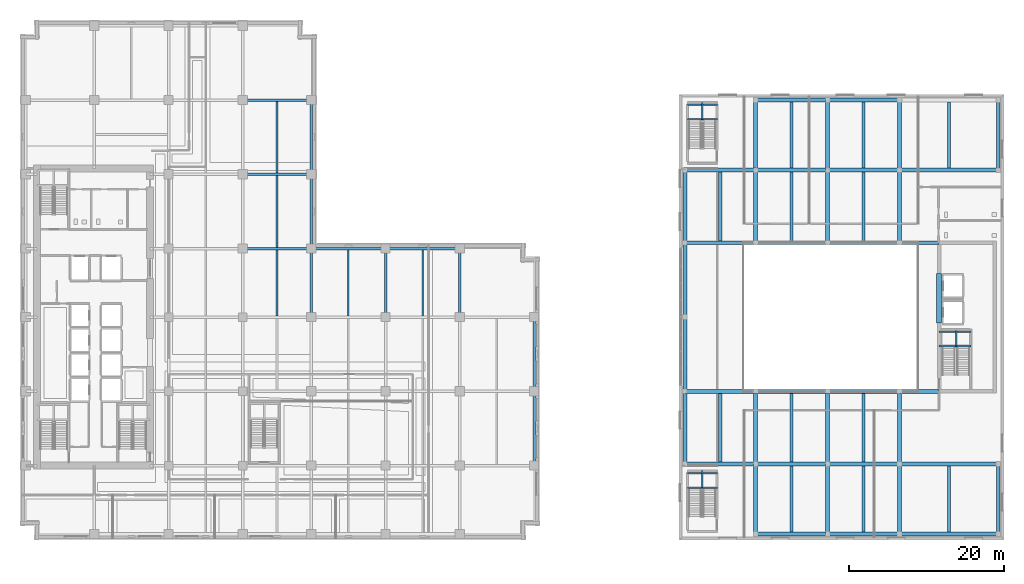
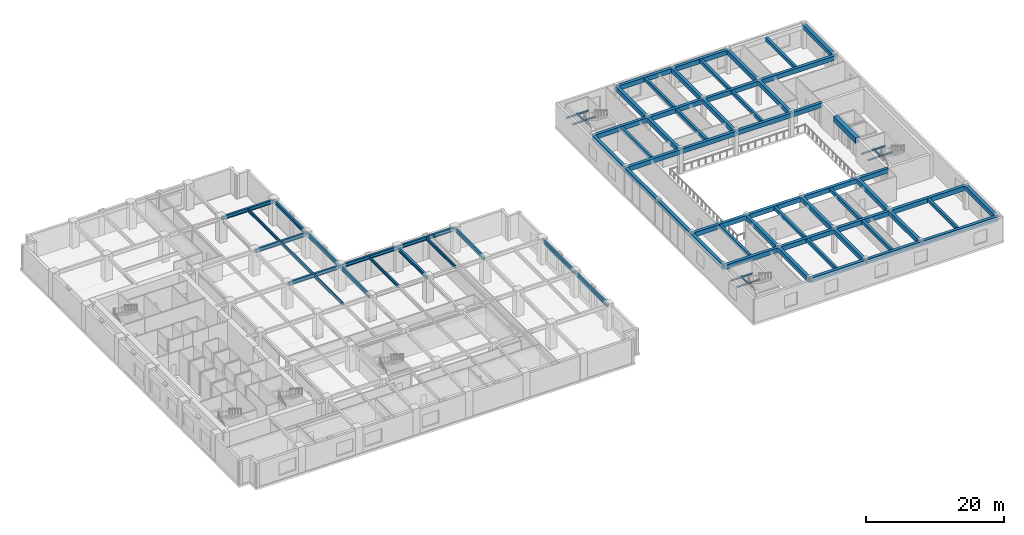
# One storey, part 3 of 24: 78 beams.
"""IFC4 building model written with IfcOpenShell, lengths in metres."""

from ifc_helpers import new_model, si_unit, direction, frame, origin, origin_2d, place, context, subcontext, project, spatial, rectangle, i_section, extrude, material, material_profile, profile_set, type_object, element, save


model = new_model("IFC4")

# Units and contexts
model_context = context("Model", 3, precision=1e-05, world=origin(), true_north=direction((0.0, 1.0)))
body_context = subcontext(model_context, "Body", "Model", "MODEL_VIEW")
ifc_project = project(units=[si_unit("LENGTHUNIT", "METRE"), si_unit("AREAUNIT", "SQUARE_METRE"), si_unit("VOLUMEUNIT", "CUBIC_METRE"), si_unit("PLANEANGLEUNIT", "RADIAN"), si_unit("MASSUNIT", "GRAM", prefix="KILO")], contexts=[model_context])

# Site, building, storey
site_placement = place(None, origin())
site = spatial("IfcSite", under=ifc_project, at=site_placement, CompositionType="ELEMENT")
building_placement = place(site_placement, origin())
building = spatial("IfcBuilding", under=site, at=building_placement, Name="Norrvale University Quadrangle", CompositionType="ELEMENT")
storey_placement = place(building_placement, frame((0.0, 0.0, 10.39990234375)))
storey = spatial("IfcBuildingStorey", under=building, at=storey_placement, Name="L02", CompositionType="ELEMENT", Elevation=10.39990234375)

# Beams
ifc_material_1 = material(Name="Steel 350W", Category="steel")
ifc_material_profile_1 = material_profile(ifc_material_1, i_section(OverallWidth=0.324951171875, OverallDepth=0.615966796875, WebThickness=0.013916015625, FlangeThickness=0.021484375, FilletRadius=0.01611328125, at=origin_2d()), Name="Steel 350W")
ifc_profile_set_1 = profile_set([ifc_material_profile_1], Name="Steel 350W")
beam_type_1 = type_object("IfcBeamType", Name="Beam Belt W610x174", PredefinedType="BEAM", material=ifc_profile_set_1)
beam_1_placement = place(storey_placement, frame((28.800048828125, 37.64990234375, 3.9521484375), z_axis=(1.0, 0.0, 0.0), x_axis=(0.0, 1.0, 0.0)))
element("IfcBeam", 1, at=beam_1_placement, inside=storey, type_object=beam_type_1, Name="Beam Belt W610x174 BM-L02-GX022", PredefinedType="BEAM", context=body_context, shape_type="SweptSolid", body=[
    extrude(i_section(OverallWidth=0.324951171875, OverallDepth=0.615966796875, WebThickness=0.013916015625, FlangeThickness=0.021484375, FilletRadius=0.01611328125, at=origin_2d()), origin(), (0.0, 0.0, 1.0), 8.849853515625),
])
for number, where, z_axis, x_axis, name in (
    (2, (37.64990234375, 37.64990234375, 3.9521484375), (1.0, 0.0, 0.0), (0.0, 1.0, 0.0), "Beam Belt W610x174 BM-L02-GX023"),
    (3, (47.25, 37.64990234375, 3.9521484375), (1.0, 0.0, 0.0), (0.0, 1.0, 0.0), "Beam Belt W610x174 BM-L02-GX024"),
):
    element("IfcBeam", number, at=place(storey_placement, frame(where, z_axis=z_axis, x_axis=x_axis)), inside=storey, type_object=beam_type_1, Name=name, PredefinedType="BEAM", context=body_context, shape_type="SweptSolid", body=[
        extrude(i_section(OverallWidth=0.324951171875, OverallDepth=0.615966796875, WebThickness=0.013916015625, FlangeThickness=0.021484375, FilletRadius=0.01611328125, at=origin_2d()), origin(), (0.0, 0.0, 1.0), 9.60009765625),
    ])
for number, where, z_axis, x_axis, name in (
    (4, (28.800048828125, 47.25, 3.9521484375), (1.0, 0.0, 0.0), (0.0, 1.0, 0.0), "Beam Belt W610x174 BM-L02-GX026"),
    (5, (28.800048828125, 56.85009765625, 3.9521484375), (1.0, 0.0, 0.0), (0.0, 1.0, 0.0), "Beam Belt W610x174 BM-L02-GX030"),
    (6, (37.64990234375, 28.800048828125, 3.9521484375), (0.0, 1.0, 0.0), (-1.0, 0.0, 0.0), "Beam Belt W610x174 BM-L02-GY056"),
):
    element("IfcBeam", number, at=place(storey_placement, frame(where, z_axis=z_axis, x_axis=x_axis)), inside=storey, type_object=beam_type_1, Name=name, PredefinedType="BEAM", context=body_context, shape_type="SweptSolid", body=[
        extrude(i_section(OverallWidth=0.324951171875, OverallDepth=0.615966796875, WebThickness=0.013916015625, FlangeThickness=0.021484375, FilletRadius=0.01611328125, at=origin_2d()), origin(), (0.0, 0.0, 1.0), 8.849853515625),
    ])
for number, where, z_axis, x_axis, name in (
    (7, (37.64990234375, 37.64990234375, 3.9521484375), (0.0, 1.0, 0.0), (-1.0, 0.0, 0.0), "Beam Belt W610x174 BM-L02-GY057"),
    (8, (37.64990234375, 47.25, 3.9521484375), (0.0, 1.0, 0.0), (-1.0, 0.0, 0.0), "Beam Belt W610x174 BM-L02-GY058"),
):
    element("IfcBeam", number, at=place(storey_placement, frame(where, z_axis=z_axis, x_axis=x_axis)), inside=storey, type_object=beam_type_1, Name=name, PredefinedType="BEAM", context=body_context, shape_type="SweptSolid", body=[
        extrude(i_section(OverallWidth=0.324951171875, OverallDepth=0.615966796875, WebThickness=0.013916015625, FlangeThickness=0.021484375, FilletRadius=0.01611328125, at=origin_2d()), origin(), (0.0, 0.0, 1.0), 9.60009765625),
    ])
for number, where, z_axis, x_axis, name in (
    (9, (47.25, 28.800048828125, 3.9521484375), (0.0, 1.0, 0.0), (-1.0, 0.0, 0.0), "Beam Belt W610x174 BM-L02-GY062"),
    (10, (56.85009765625, 28.800048828125, 3.9521484375), (0.0, 1.0, 0.0), (-1.0, 0.0, 0.0), "Beam Belt W610x174 BM-L02-GY066"),
):
    element("IfcBeam", number, at=place(storey_placement, frame(where, z_axis=z_axis, x_axis=x_axis)), inside=storey, type_object=beam_type_1, Name=name, PredefinedType="BEAM", context=body_context, shape_type="SweptSolid", body=[
        extrude(i_section(OverallWidth=0.324951171875, OverallDepth=0.615966796875, WebThickness=0.013916015625, FlangeThickness=0.021484375, FilletRadius=0.01611328125, at=origin_2d()), origin(), (0.0, 0.0, 1.0), 8.849853515625),
    ])
beam_2_placement = place(storey_placement, frame((66.449951171875, 9.60009765625, 3.9521484375), z_axis=(0.0, 1.0, 0.0), x_axis=(-1.0, 0.0, 0.0)))
element("IfcBeam", 11, at=beam_2_placement, inside=storey, type_object=beam_type_1, Name="Beam Belt W610x174 BM-L02-GY067", PredefinedType="BEAM", context=body_context, shape_type="SweptSolid", body=[
    extrude(i_section(OverallWidth=0.324951171875, OverallDepth=0.615966796875, WebThickness=0.013916015625, FlangeThickness=0.021484375, FilletRadius=0.01611328125, at=origin_2d()), origin(), (0.0, 0.0, 1.0), 9.599853515625),
])
beam_3_placement = place(storey_placement, frame((66.449951171875, 19.199951171875, 3.9521484375), z_axis=(0.0, 1.0, 0.0), x_axis=(-1.0, 0.0, 0.0)))
element("IfcBeam", 12, at=beam_3_placement, inside=storey, type_object=beam_type_1, Name="Beam Belt W610x174 BM-L02-GY068", PredefinedType="BEAM", context=body_context, shape_type="SweptSolid", body=[
    extrude(i_section(OverallWidth=0.324951171875, OverallDepth=0.615966796875, WebThickness=0.013916015625, FlangeThickness=0.021484375, FilletRadius=0.01611328125, at=origin_2d()), origin(), (0.0, 0.0, 1.0), 9.60009765625),
])
ifc_material_2 = material(Name="Concrete C80/95", Category="concrete")
ifc_material_profile_2 = material_profile(ifc_material_2, rectangle(XDim=0.699951171875, YDim=0.949951171875, at=origin_2d()), Name="Concrete C80/95")
ifc_profile_set_2 = profile_set([ifc_material_profile_2], Name="Concrete C80/95")
beam_type_2 = type_object("IfcBeamType", Name="Beam Core Link 700x950", PredefinedType="LINTEL", material=ifc_profile_set_2)
beam_4_placement = place(storey_placement, frame((118.800048828125, 28.0, 3.775146484375), z_axis=(0.0, 1.0, 0.0), x_axis=(-1.0, 0.0, 0.0)))
element("IfcBeam", 13, at=beam_4_placement, inside=storey, type_object=beam_type_2, Name="Library Core Coupling Lintel L02", PredefinedType="LINTEL", context=body_context, shape_type="SweptSolid", body=[
    extrude(rectangle(XDim=0.699951171875, YDim=0.949951171875, at=origin_2d()), origin(), (0.0, 0.0, 1.0), 6.39990234375),
])
ifc_material_profile_3 = material_profile(ifc_material_1, i_section(OverallWidth=0.2119140625, OverallDepth=0.5439453125, WebThickness=0.01318359375, FlangeThickness=0.021240234375, FilletRadius=0.013916015625, at=origin_2d()), Name="Steel 350W")
ifc_profile_set_3 = profile_set([ifc_material_profile_3], Name="Steel 350W")
beam_type_3 = type_object("IfcBeamType", Name="Beam Floor W530x123", PredefinedType="BEAM", material=ifc_profile_set_3)
beam_5_placement = place(storey_placement, frame((33.22509765625, 28.96240234375, 3.988037109375), z_axis=(0.0, 1.0, 0.0), x_axis=(-1.0, 0.0, 0.0)))
element("IfcBeam", 14, at=beam_5_placement, inside=storey, type_object=beam_type_3, Name="Beam Floor W530x123 BM-L02-J089", PredefinedType="BEAM", context=body_context, shape_type="SweptSolid", body=[
    extrude(i_section(OverallWidth=0.2119140625, OverallDepth=0.5439453125, WebThickness=0.01318359375, FlangeThickness=0.021240234375, FilletRadius=0.013916015625, at=origin_2d()), origin(), (0.0, 0.0, 1.0), 8.525146484375),
])
for number, where, z_axis, x_axis, name in (
    (15, (33.22509765625, 37.8125, 3.988037109375), (0.0, 1.0, 0.0), (-1.0, 0.0, 0.0), "Beam Floor W530x123 BM-L02-J090"),
    (16, (33.22509765625, 47.41259765625, 3.988037109375), (0.0, 1.0, 0.0), (-1.0, 0.0, 0.0), "Beam Floor W530x123 BM-L02-J091"),
):
    element("IfcBeam", number, at=place(storey_placement, frame(where, z_axis=z_axis, x_axis=x_axis)), inside=storey, type_object=beam_type_3, Name=name, PredefinedType="BEAM", context=body_context, shape_type="SweptSolid", body=[
        extrude(i_section(OverallWidth=0.2119140625, OverallDepth=0.5439453125, WebThickness=0.01318359375, FlangeThickness=0.021240234375, FilletRadius=0.013916015625, at=origin_2d()), origin(), (0.0, 0.0, 1.0), 9.27490234375),
    ])
for number, where, z_axis, x_axis, name in (
    (17, (42.449951171875, 28.96240234375, 3.988037109375), (0.0, 1.0, 0.0), (-1.0, 0.0, 0.0), "Beam Floor W530x123 BM-L02-J095"),
    (18, (52.050048828125, 28.96240234375, 3.988037109375), (0.0, 1.0, 0.0), (-1.0, 0.0, 0.0), "Beam Floor W530x123 BM-L02-J099"),
):
    element("IfcBeam", number, at=place(storey_placement, frame(where, z_axis=z_axis, x_axis=x_axis)), inside=storey, type_object=beam_type_3, Name=name, PredefinedType="BEAM", context=body_context, shape_type="SweptSolid", body=[
        extrude(i_section(OverallWidth=0.2119140625, OverallDepth=0.5439453125, WebThickness=0.01318359375, FlangeThickness=0.021240234375, FilletRadius=0.013916015625, at=origin_2d()), origin(), (0.0, 0.0, 1.0), 8.525146484375),
    ])
ifc_material_3 = material(Name="Concrete C60/75", Category="concrete")
ifc_material_profile_4 = material_profile(ifc_material_3, rectangle(XDim=0.39990234375, YDim=0.60009765625, at=origin_2d()), Name="Concrete C60/75")
ifc_profile_set_4 = profile_set([ifc_material_profile_4], Name="Concrete C60/75")
beam_type_4 = type_object("IfcBeamType", Name="Beam Lib 400x600", PredefinedType="JOIST", material=ifc_profile_set_4)
beam_6_placement = place(storey_placement, frame((90.52490234375, 10.050048828125, 3.9501953125), z_axis=(0.0, 1.0, 0.0), x_axis=(-1.0, 0.0, 0.0)))
element("IfcBeam", 19, at=beam_6_placement, inside=storey, type_object=beam_type_4, Name="Beam Lib 400x600 BM-L02-LJ039", PredefinedType="JOIST", context=body_context, shape_type="SweptSolid", body=[
    extrude(rectangle(XDim=0.39990234375, YDim=0.60009765625, at=origin_2d()), origin(), (0.0, 0.0, 1.0), 8.89990234375),
])
beam_7_placement = place(storey_placement, frame((90.52490234375, 38.64990234375, 3.9501953125), z_axis=(0.0, 1.0, 0.0), x_axis=(-1.0, 0.0, 0.0)))
element("IfcBeam", 20, at=beam_7_placement, inside=storey, type_object=beam_type_4, Name="Beam Lib 400x600 BM-L02-LJ040", PredefinedType="JOIST", context=body_context, shape_type="SweptSolid", body=[
    extrude(rectangle(XDim=0.39990234375, YDim=0.60009765625, at=origin_2d()), origin(), (0.0, 0.0, 1.0), 8.900146484375),
])
beam_8_placement = place(storey_placement, frame((99.75, 1.0, 3.9501953125), z_axis=(0.0, 1.0, 0.0), x_axis=(-1.0, 0.0, 0.0)))
element("IfcBeam", 21, at=beam_8_placement, inside=storey, type_object=beam_type_4, Name="Beam Lib 400x600 BM-L02-LJ041", PredefinedType="JOIST", context=body_context, shape_type="SweptSolid", body=[
    extrude(rectangle(XDim=0.39990234375, YDim=0.60009765625, at=origin_2d()), origin(), (0.0, 0.0, 1.0), 8.550048828125),
])
beam_9_placement = place(storey_placement, frame((99.75, 10.050048828125, 3.9501953125), z_axis=(0.0, 1.0, 0.0), x_axis=(-1.0, 0.0, 0.0)))
element("IfcBeam", 22, at=beam_9_placement, inside=storey, type_object=beam_type_4, Name="Beam Lib 400x600 BM-L02-LJ042", PredefinedType="JOIST", context=body_context, shape_type="SweptSolid", body=[
    extrude(rectangle(XDim=0.39990234375, YDim=0.60009765625, at=origin_2d()), origin(), (0.0, 0.0, 1.0), 8.89990234375),
])
beam_10_placement = place(storey_placement, frame((99.75, 38.64990234375, 3.9501953125), z_axis=(0.0, 1.0, 0.0), x_axis=(-1.0, 0.0, 0.0)))
element("IfcBeam", 23, at=beam_10_placement, inside=storey, type_object=beam_type_4, Name="Beam Lib 400x600 BM-L02-LJ043", PredefinedType="JOIST", context=body_context, shape_type="SweptSolid", body=[
    extrude(rectangle(XDim=0.39990234375, YDim=0.60009765625, at=origin_2d()), origin(), (0.0, 0.0, 1.0), 8.900146484375),
])
for number, where, z_axis, x_axis, name in (
    (24, (99.75, 48.050048828125, 3.9501953125), (0.0, 1.0, 0.0), (-1.0, 0.0, 0.0), "Beam Lib 400x600 BM-L02-LJ044"),
    (25, (109.050048828125, 1.0, 3.9501953125), (0.0, 1.0, 0.0), (-1.0, 0.0, 0.0), "Beam Lib 400x600 BM-L02-LJ045"),
):
    element("IfcBeam", number, at=place(storey_placement, frame(where, z_axis=z_axis, x_axis=x_axis)), inside=storey, type_object=beam_type_4, Name=name, PredefinedType="JOIST", context=body_context, shape_type="SweptSolid", body=[
        extrude(rectangle(XDim=0.39990234375, YDim=0.60009765625, at=origin_2d()), origin(), (0.0, 0.0, 1.0), 8.550048828125),
    ])
beam_11_placement = place(storey_placement, frame((109.050048828125, 10.050048828125, 3.9501953125), z_axis=(0.0, 1.0, 0.0), x_axis=(-1.0, 0.0, 0.0)))
element("IfcBeam", 26, at=beam_11_placement, inside=storey, type_object=beam_type_4, Name="Beam Lib 400x600 BM-L02-LJ046", PredefinedType="JOIST", context=body_context, shape_type="SweptSolid", body=[
    extrude(rectangle(XDim=0.39990234375, YDim=0.60009765625, at=origin_2d()), origin(), (0.0, 0.0, 1.0), 8.89990234375),
])
beam_12_placement = place(storey_placement, frame((109.050048828125, 38.64990234375, 3.9501953125), z_axis=(0.0, 1.0, 0.0), x_axis=(-1.0, 0.0, 0.0)))
element("IfcBeam", 27, at=beam_12_placement, inside=storey, type_object=beam_type_4, Name="Beam Lib 400x600 BM-L02-LJ047", PredefinedType="JOIST", context=body_context, shape_type="SweptSolid", body=[
    extrude(rectangle(XDim=0.39990234375, YDim=0.60009765625, at=origin_2d()), origin(), (0.0, 0.0, 1.0), 8.900146484375),
])
for number, where, z_axis, x_axis, name in (
    (28, (109.050048828125, 48.050048828125, 3.9501953125), (0.0, 1.0, 0.0), (-1.0, 0.0, 0.0), "Beam Lib 400x600 BM-L02-LJ048"),
    (29, (120.074951171875, 1.0, 3.9501953125), (0.0, 1.0, 0.0), (-1.0, 0.0, 0.0), "Beam Lib 400x600 BM-L02-LJ049"),
    (30, (120.074951171875, 48.050048828125, 3.9501953125), (0.0, 1.0, 0.0), (-1.0, 0.0, 0.0), "Beam Lib 400x600 BM-L02-LJ050"),
):
    element("IfcBeam", number, at=place(storey_placement, frame(where, z_axis=z_axis, x_axis=x_axis)), inside=storey, type_object=beam_type_4, Name=name, PredefinedType="JOIST", context=body_context, shape_type="SweptSolid", body=[
        extrude(rectangle(XDim=0.39990234375, YDim=0.60009765625, at=origin_2d()), origin(), (0.0, 0.0, 1.0), 8.550048828125),
    ])
ifc_material_profile_5 = material_profile(ifc_material_3, rectangle(XDim=0.5, YDim=0.800048828125, at=origin_2d()), Name="Concrete C60/75")
ifc_profile_set_5 = profile_set([ifc_material_profile_5], Name="Concrete C60/75")
beam_type_5 = type_object("IfcBeamType", Name="Beam Lib 500x800", PredefinedType="BEAM", material=ifc_profile_set_5)
beam_13_placement = place(storey_placement, frame((95.10009765625, 0.75, 3.85009765625), z_axis=(1.0, 0.0, 0.0), x_axis=(0.0, 1.0, 0.0)))
element("IfcBeam", 31, at=beam_13_placement, inside=storey, type_object=beam_type_5, Name="Beam Lib 500x800 BM-L02-LGX001", PredefinedType="BEAM", context=body_context, shape_type="SweptSolid", body=[
    extrude(rectangle(XDim=0.5, YDim=0.800048828125, at=origin_2d()), origin(), (0.0, 0.0, 1.0), 9.2998046875),
])
beam_14_placement = place(storey_placement, frame((104.39990234375, 0.75, 3.85009765625), z_axis=(1.0, 0.0, 0.0), x_axis=(0.0, 1.0, 0.0)))
element("IfcBeam", 32, at=beam_14_placement, inside=storey, type_object=beam_type_5, Name="Beam Lib 500x800 BM-L02-LGX002", PredefinedType="BEAM", context=body_context, shape_type="SweptSolid", body=[
    extrude(rectangle(XDim=0.5, YDim=0.800048828125, at=origin_2d()), origin(), (0.0, 0.0, 1.0), 9.300048828125),
])
beam_15_placement = place(storey_placement, frame((113.699951171875, 0.75, 3.85009765625), z_axis=(1.0, 0.0, 0.0), x_axis=(0.0, 1.0, 0.0)))
element("IfcBeam", 33, at=beam_15_placement, inside=storey, type_object=beam_type_5, Name="Beam Lib 500x800 BM-L02-LGX003", PredefinedType="BEAM", context=body_context, shape_type="SweptSolid", body=[
    extrude(rectangle(XDim=0.5, YDim=0.800048828125, at=origin_2d()), origin(), (0.0, 0.0, 1.0), 12.75),
])
beam_16_placement = place(storey_placement, frame((85.949951171875, 9.800048828125, 3.85009765625), z_axis=(1.0, 0.0, 0.0), x_axis=(0.0, 1.0, 0.0)))
element("IfcBeam", 34, at=beam_16_placement, inside=storey, type_object=beam_type_5, Name="Beam Lib 500x800 BM-L02-LGX004", PredefinedType="BEAM", context=body_context, shape_type="SweptSolid", body=[
    extrude(rectangle(XDim=0.5, YDim=0.800048828125, at=origin_2d()), origin(), (0.0, 0.0, 1.0), 9.150146484375),
])
beam_17_placement = place(storey_placement, frame((95.10009765625, 9.800048828125, 3.85009765625), z_axis=(1.0, 0.0, 0.0), x_axis=(0.0, 1.0, 0.0)))
element("IfcBeam", 35, at=beam_17_placement, inside=storey, type_object=beam_type_5, Name="Beam Lib 500x800 BM-L02-LGX005", PredefinedType="BEAM", context=body_context, shape_type="SweptSolid", body=[
    extrude(rectangle(XDim=0.5, YDim=0.800048828125, at=origin_2d()), origin(), (0.0, 0.0, 1.0), 9.2998046875),
])
beam_18_placement = place(storey_placement, frame((104.39990234375, 9.800048828125, 3.85009765625), z_axis=(1.0, 0.0, 0.0), x_axis=(0.0, 1.0, 0.0)))
element("IfcBeam", 36, at=beam_18_placement, inside=storey, type_object=beam_type_5, Name="Beam Lib 500x800 BM-L02-LGX006", PredefinedType="BEAM", context=body_context, shape_type="SweptSolid", body=[
    extrude(rectangle(XDim=0.5, YDim=0.800048828125, at=origin_2d()), origin(), (0.0, 0.0, 1.0), 9.300048828125),
])
beam_19_placement = place(storey_placement, frame((113.699951171875, 9.800048828125, 3.85009765625), z_axis=(1.0, 0.0, 0.0), x_axis=(0.0, 1.0, 0.0)))
element("IfcBeam", 37, at=beam_19_placement, inside=storey, type_object=beam_type_5, Name="Beam Lib 500x800 BM-L02-LGX007", PredefinedType="BEAM", context=body_context, shape_type="SweptSolid", body=[
    extrude(rectangle(XDim=0.5, YDim=0.800048828125, at=origin_2d()), origin(), (0.0, 0.0, 1.0), 12.75),
])
beam_20_placement = place(storey_placement, frame((85.949951171875, 19.199951171875, 3.85009765625), z_axis=(1.0, 0.0, 0.0), x_axis=(0.0, 1.0, 0.0)))
element("IfcBeam", 38, at=beam_20_placement, inside=storey, type_object=beam_type_5, Name="Beam Lib 500x800 BM-L02-LGX008", PredefinedType="BEAM", context=body_context, shape_type="SweptSolid", body=[
    extrude(rectangle(XDim=0.5, YDim=0.800048828125, at=origin_2d()), origin(), (0.0, 0.0, 1.0), 9.150146484375),
])
beam_21_placement = place(storey_placement, frame((95.10009765625, 19.199951171875, 3.85009765625), z_axis=(1.0, 0.0, 0.0), x_axis=(0.0, 1.0, 0.0)))
element("IfcBeam", 39, at=beam_21_placement, inside=storey, type_object=beam_type_5, Name="Beam Lib 500x800 BM-L02-LGX009", PredefinedType="BEAM", context=body_context, shape_type="SweptSolid", body=[
    extrude(rectangle(XDim=0.5, YDim=0.800048828125, at=origin_2d()), origin(), (0.0, 0.0, 1.0), 9.2998046875),
])
beam_22_placement = place(storey_placement, frame((104.39990234375, 19.199951171875, 3.85009765625), z_axis=(1.0, 0.0, 0.0), x_axis=(0.0, 1.0, 0.0)))
element("IfcBeam", 40, at=beam_22_placement, inside=storey, type_object=beam_type_5, Name="Beam Lib 500x800 BM-L02-LGX010", PredefinedType="BEAM", context=body_context, shape_type="SweptSolid", body=[
    extrude(rectangle(XDim=0.5, YDim=0.800048828125, at=origin_2d()), origin(), (0.0, 0.0, 1.0), 9.300048828125),
])
beam_23_placement = place(storey_placement, frame((85.949951171875, 38.39990234375, 3.85009765625), z_axis=(1.0, 0.0, 0.0), x_axis=(0.0, 1.0, 0.0)))
element("IfcBeam", 41, at=beam_23_placement, inside=storey, type_object=beam_type_5, Name="Beam Lib 500x800 BM-L02-LGX011", PredefinedType="BEAM", context=body_context, shape_type="SweptSolid", body=[
    extrude(rectangle(XDim=0.5, YDim=0.800048828125, at=origin_2d()), origin(), (0.0, 0.0, 1.0), 9.150146484375),
])
beam_24_placement = place(storey_placement, frame((95.10009765625, 38.39990234375, 3.85009765625), z_axis=(1.0, 0.0, 0.0), x_axis=(0.0, 1.0, 0.0)))
element("IfcBeam", 42, at=beam_24_placement, inside=storey, type_object=beam_type_5, Name="Beam Lib 500x800 BM-L02-LGX012", PredefinedType="BEAM", context=body_context, shape_type="SweptSolid", body=[
    extrude(rectangle(XDim=0.5, YDim=0.800048828125, at=origin_2d()), origin(), (0.0, 0.0, 1.0), 9.2998046875),
])
beam_25_placement = place(storey_placement, frame((104.39990234375, 38.39990234375, 3.85009765625), z_axis=(1.0, 0.0, 0.0), x_axis=(0.0, 1.0, 0.0)))
element("IfcBeam", 43, at=beam_25_placement, inside=storey, type_object=beam_type_5, Name="Beam Lib 500x800 BM-L02-LGX013", PredefinedType="BEAM", context=body_context, shape_type="SweptSolid", body=[
    extrude(rectangle(XDim=0.5, YDim=0.800048828125, at=origin_2d()), origin(), (0.0, 0.0, 1.0), 9.300048828125),
])
beam_26_placement = place(storey_placement, frame((85.949951171875, 47.800048828125, 3.85009765625), z_axis=(1.0, 0.0, 0.0), x_axis=(0.0, 1.0, 0.0)))
element("IfcBeam", 44, at=beam_26_placement, inside=storey, type_object=beam_type_5, Name="Beam Lib 500x800 BM-L02-LGX014", PredefinedType="BEAM", context=body_context, shape_type="SweptSolid", body=[
    extrude(rectangle(XDim=0.5, YDim=0.800048828125, at=origin_2d()), origin(), (0.0, 0.0, 1.0), 9.150146484375),
])
beam_27_placement = place(storey_placement, frame((95.10009765625, 47.800048828125, 3.85009765625), z_axis=(1.0, 0.0, 0.0), x_axis=(0.0, 1.0, 0.0)))
element("IfcBeam", 45, at=beam_27_placement, inside=storey, type_object=beam_type_5, Name="Beam Lib 500x800 BM-L02-LGX015", PredefinedType="BEAM", context=body_context, shape_type="SweptSolid", body=[
    extrude(rectangle(XDim=0.5, YDim=0.800048828125, at=origin_2d()), origin(), (0.0, 0.0, 1.0), 9.2998046875),
])
beam_28_placement = place(storey_placement, frame((104.39990234375, 47.800048828125, 3.85009765625), z_axis=(1.0, 0.0, 0.0), x_axis=(0.0, 1.0, 0.0)))
element("IfcBeam", 46, at=beam_28_placement, inside=storey, type_object=beam_type_5, Name="Beam Lib 500x800 BM-L02-LGX016", PredefinedType="BEAM", context=body_context, shape_type="SweptSolid", body=[
    extrude(rectangle(XDim=0.5, YDim=0.800048828125, at=origin_2d()), origin(), (0.0, 0.0, 1.0), 9.300048828125),
])
beam_29_placement = place(storey_placement, frame((113.699951171875, 47.800048828125, 3.85009765625), z_axis=(1.0, 0.0, 0.0), x_axis=(0.0, 1.0, 0.0)))
element("IfcBeam", 47, at=beam_29_placement, inside=storey, type_object=beam_type_5, Name="Beam Lib 500x800 BM-L02-LGX017", PredefinedType="BEAM", context=body_context, shape_type="SweptSolid", body=[
    extrude(rectangle(XDim=0.5, YDim=0.800048828125, at=origin_2d()), origin(), (0.0, 0.0, 1.0), 12.75),
])
beam_30_placement = place(storey_placement, frame((95.10009765625, 56.85009765625, 3.85009765625), z_axis=(1.0, 0.0, 0.0), x_axis=(0.0, 1.0, 0.0)))
element("IfcBeam", 48, at=beam_30_placement, inside=storey, type_object=beam_type_5, Name="Beam Lib 500x800 BM-L02-LGX018", PredefinedType="BEAM", context=body_context, shape_type="SweptSolid", body=[
    extrude(rectangle(XDim=0.5, YDim=0.800048828125, at=origin_2d()), origin(), (0.0, 0.0, 1.0), 9.2998046875),
])
beam_31_placement = place(storey_placement, frame((104.39990234375, 56.85009765625, 3.85009765625), z_axis=(1.0, 0.0, 0.0), x_axis=(0.0, 1.0, 0.0)))
element("IfcBeam", 49, at=beam_31_placement, inside=storey, type_object=beam_type_5, Name="Beam Lib 500x800 BM-L02-LGX019", PredefinedType="BEAM", context=body_context, shape_type="SweptSolid", body=[
    extrude(rectangle(XDim=0.5, YDim=0.800048828125, at=origin_2d()), origin(), (0.0, 0.0, 1.0), 9.300048828125),
])
beam_32_placement = place(storey_placement, frame((85.949951171875, 9.800048828125, 3.85009765625), z_axis=(0.0, 1.0, 0.0), x_axis=(-1.0, 0.0, 0.0)))
element("IfcBeam", 50, at=beam_32_placement, inside=storey, type_object=beam_type_5, Name="Beam Lib 500x800 BM-L02-LGY021", PredefinedType="BEAM", context=body_context, shape_type="SweptSolid", body=[
    extrude(rectangle(XDim=0.5, YDim=0.800048828125, at=origin_2d()), origin(), (0.0, 0.0, 1.0), 9.39990234375),
])
beam_33_placement = place(storey_placement, frame((85.949951171875, 19.199951171875, 3.85009765625), z_axis=(0.0, 1.0, 0.0), x_axis=(-1.0, 0.0, 0.0)))
element("IfcBeam", 51, at=beam_33_placement, inside=storey, type_object=beam_type_5, Name="Beam Lib 500x800 BM-L02-LGY022", PredefinedType="BEAM", context=body_context, shape_type="SweptSolid", body=[
    extrude(rectangle(XDim=0.5, YDim=0.800048828125, at=origin_2d()), origin(), (0.0, 0.0, 1.0), 9.60009765625),
])
beam_34_placement = place(storey_placement, frame((85.949951171875, 28.800048828125, 3.85009765625), z_axis=(0.0, 1.0, 0.0), x_axis=(-1.0, 0.0, 0.0)))
element("IfcBeam", 52, at=beam_34_placement, inside=storey, type_object=beam_type_5, Name="Beam Lib 500x800 BM-L02-LGY023", PredefinedType="BEAM", context=body_context, shape_type="SweptSolid", body=[
    extrude(rectangle(XDim=0.5, YDim=0.800048828125, at=origin_2d()), origin(), (0.0, 0.0, 1.0), 9.599853515625),
])
beam_35_placement = place(storey_placement, frame((85.949951171875, 38.39990234375, 3.85009765625), z_axis=(0.0, 1.0, 0.0), x_axis=(-1.0, 0.0, 0.0)))
element("IfcBeam", 53, at=beam_35_placement, inside=storey, type_object=beam_type_5, Name="Beam Lib 500x800 BM-L02-LGY024", PredefinedType="BEAM", context=body_context, shape_type="SweptSolid", body=[
    extrude(rectangle(XDim=0.5, YDim=0.800048828125, at=origin_2d()), origin(), (0.0, 0.0, 1.0), 9.400146484375),
])
beam_36_placement = place(storey_placement, frame((95.10009765625, 0.75, 3.85009765625), z_axis=(0.0, 1.0, 0.0), x_axis=(-1.0, 0.0, 0.0)))
element("IfcBeam", 54, at=beam_36_placement, inside=storey, type_object=beam_type_5, Name="Beam Lib 500x800 BM-L02-LGY025", PredefinedType="BEAM", context=body_context, shape_type="SweptSolid", body=[
    extrude(rectangle(XDim=0.5, YDim=0.800048828125, at=origin_2d()), origin(), (0.0, 0.0, 1.0), 9.050048828125),
])
beam_37_placement = place(storey_placement, frame((95.10009765625, 9.800048828125, 3.85009765625), z_axis=(0.0, 1.0, 0.0), x_axis=(-1.0, 0.0, 0.0)))
element("IfcBeam", 55, at=beam_37_placement, inside=storey, type_object=beam_type_5, Name="Beam Lib 500x800 BM-L02-LGY026", PredefinedType="BEAM", context=body_context, shape_type="SweptSolid", body=[
    extrude(rectangle(XDim=0.5, YDim=0.800048828125, at=origin_2d()), origin(), (0.0, 0.0, 1.0), 9.39990234375),
])
beam_38_placement = place(storey_placement, frame((95.10009765625, 38.39990234375, 3.85009765625), z_axis=(0.0, 1.0, 0.0), x_axis=(-1.0, 0.0, 0.0)))
element("IfcBeam", 56, at=beam_38_placement, inside=storey, type_object=beam_type_5, Name="Beam Lib 500x800 BM-L02-LGY027", PredefinedType="BEAM", context=body_context, shape_type="SweptSolid", body=[
    extrude(rectangle(XDim=0.5, YDim=0.800048828125, at=origin_2d()), origin(), (0.0, 0.0, 1.0), 9.400146484375),
])
for number, where, z_axis, x_axis, name in (
    (57, (95.10009765625, 47.800048828125, 3.85009765625), (0.0, 1.0, 0.0), (-1.0, 0.0, 0.0), "Beam Lib 500x800 BM-L02-LGY028"),
    (58, (104.39990234375, 0.75, 3.85009765625), (0.0, 1.0, 0.0), (-1.0, 0.0, 0.0), "Beam Lib 500x800 BM-L02-LGY029"),
):
    element("IfcBeam", number, at=place(storey_placement, frame(where, z_axis=z_axis, x_axis=x_axis)), inside=storey, type_object=beam_type_5, Name=name, PredefinedType="BEAM", context=body_context, shape_type="SweptSolid", body=[
        extrude(rectangle(XDim=0.5, YDim=0.800048828125, at=origin_2d()), origin(), (0.0, 0.0, 1.0), 9.050048828125),
    ])
beam_39_placement = place(storey_placement, frame((104.39990234375, 9.800048828125, 3.85009765625), z_axis=(0.0, 1.0, 0.0), x_axis=(-1.0, 0.0, 0.0)))
element("IfcBeam", 59, at=beam_39_placement, inside=storey, type_object=beam_type_5, Name="Beam Lib 500x800 BM-L02-LGY030", PredefinedType="BEAM", context=body_context, shape_type="SweptSolid", body=[
    extrude(rectangle(XDim=0.5, YDim=0.800048828125, at=origin_2d()), origin(), (0.0, 0.0, 1.0), 9.39990234375),
])
beam_40_placement = place(storey_placement, frame((104.39990234375, 38.39990234375, 3.85009765625), z_axis=(0.0, 1.0, 0.0), x_axis=(-1.0, 0.0, 0.0)))
element("IfcBeam", 60, at=beam_40_placement, inside=storey, type_object=beam_type_5, Name="Beam Lib 500x800 BM-L02-LGY031", PredefinedType="BEAM", context=body_context, shape_type="SweptSolid", body=[
    extrude(rectangle(XDim=0.5, YDim=0.800048828125, at=origin_2d()), origin(), (0.0, 0.0, 1.0), 9.400146484375),
])
for number, where, z_axis, x_axis, name in (
    (61, (104.39990234375, 47.800048828125, 3.85009765625), (0.0, 1.0, 0.0), (-1.0, 0.0, 0.0), "Beam Lib 500x800 BM-L02-LGY032"),
    (62, (113.699951171875, 0.75, 3.85009765625), (0.0, 1.0, 0.0), (-1.0, 0.0, 0.0), "Beam Lib 500x800 BM-L02-LGY033"),
):
    element("IfcBeam", number, at=place(storey_placement, frame(where, z_axis=z_axis, x_axis=x_axis)), inside=storey, type_object=beam_type_5, Name=name, PredefinedType="BEAM", context=body_context, shape_type="SweptSolid", body=[
        extrude(rectangle(XDim=0.5, YDim=0.800048828125, at=origin_2d()), origin(), (0.0, 0.0, 1.0), 9.050048828125),
    ])
beam_41_placement = place(storey_placement, frame((113.699951171875, 9.800048828125, 3.85009765625), z_axis=(0.0, 1.0, 0.0), x_axis=(-1.0, 0.0, 0.0)))
element("IfcBeam", 63, at=beam_41_placement, inside=storey, type_object=beam_type_5, Name="Beam Lib 500x800 BM-L02-LGY034", PredefinedType="BEAM", context=body_context, shape_type="SweptSolid", body=[
    extrude(rectangle(XDim=0.5, YDim=0.800048828125, at=origin_2d()), origin(), (0.0, 0.0, 1.0), 9.39990234375),
])
beam_42_placement = place(storey_placement, frame((113.699951171875, 38.39990234375, 3.85009765625), z_axis=(0.0, 1.0, 0.0), x_axis=(-1.0, 0.0, 0.0)))
element("IfcBeam", 64, at=beam_42_placement, inside=storey, type_object=beam_type_5, Name="Beam Lib 500x800 BM-L02-LGY035", PredefinedType="BEAM", context=body_context, shape_type="SweptSolid", body=[
    extrude(rectangle(XDim=0.5, YDim=0.800048828125, at=origin_2d()), origin(), (0.0, 0.0, 1.0), 9.400146484375),
])
for number, where, z_axis, x_axis, name in (
    (65, (113.699951171875, 47.800048828125, 3.85009765625), (0.0, 1.0, 0.0), (-1.0, 0.0, 0.0), "Beam Lib 500x800 BM-L02-LGY036"),
    (66, (126.449951171875, 0.75, 3.85009765625), (0.0, 1.0, 0.0), (-1.0, 0.0, 0.0), "Beam Lib 500x800 BM-L02-LGY037"),
    (67, (126.449951171875, 47.800048828125, 3.85009765625), (0.0, 1.0, 0.0), (-1.0, 0.0, 0.0), "Beam Lib 500x800 BM-L02-LGY038"),
):
    element("IfcBeam", number, at=place(storey_placement, frame(where, z_axis=z_axis, x_axis=x_axis)), inside=storey, type_object=beam_type_5, Name=name, PredefinedType="BEAM", context=body_context, shape_type="SweptSolid", body=[
        extrude(rectangle(XDim=0.5, YDim=0.800048828125, at=origin_2d()), origin(), (0.0, 0.0, 1.0), 9.050048828125),
    ])
for number, where, z_axis, x_axis, name in (
    (68, (113.699951171875, 19.199951171875, 3.85009765625), (1.0, 0.0, 0.0), (0.0, 1.0, 0.0), "Beam Lib 500x800 BM-L02-LCTIE051"),
    (69, (113.699951171875, 38.39990234375, 3.85009765625), (1.0, 0.0, 0.0), (0.0, 1.0, 0.0), "Beam Lib 500x800 BM-L02-LCTIE052"),
):
    element("IfcBeam", number, at=place(storey_placement, frame(where, z_axis=z_axis, x_axis=x_axis)), inside=storey, type_object=beam_type_5, Name=name, PredefinedType="BEAM", context=body_context, shape_type="SweptSolid", body=[
        extrude(rectangle(XDim=0.5, YDim=0.800048828125, at=origin_2d()), origin(), (0.0, 0.0, 1.0), 5.10009765625),
    ])
ifc_material_profile_6 = material_profile(ifc_material_1, i_section(OverallWidth=0.201904296875, OverallDepth=0.2470703125, WebThickness=0.00732421875, FlangeThickness=0.010986328125, FilletRadius=0.011962890625, at=origin_2d()), Name="Steel 350W")
ifc_profile_set_6 = profile_set([ifc_material_profile_6], Name="Steel 350W")
beam_type_6 = type_object("IfcBeamType", Name="Beam Stair W250x49", PredefinedType="BEAM", material=ifc_profile_set_6)
for number, where, z_axis, x_axis, name in (
    (70, (118.800048828125, 25.06005859375, 1.9765625), (1.0, 0.0, 0.0), (0.0, 1.0, 0.0), "Stair Mid-Landing Front Beam ST-L1 L02"),
    (71, (118.800048828125, 26.919921875, 1.9765625), (1.0, 0.0, 0.0), (0.0, 1.0, 0.0), "Stair Mid-Landing Rear Beam ST-L1 L02"),
):
    element("IfcBeam", number, at=place(storey_placement, frame(where, z_axis=z_axis, x_axis=x_axis)), inside=storey, type_object=beam_type_6, Name=name, PredefinedType="BEAM", context=body_context, shape_type="SweptSolid", body=[
        extrude(i_section(OverallWidth=0.201904296875, OverallDepth=0.2470703125, WebThickness=0.00732421875, FlangeThickness=0.010986328125, FilletRadius=0.011962890625, at=origin_2d()), origin(), (0.0, 0.0, 1.0), 4.139892578125),
    ])
for number, where, z_axis, x_axis, name in (
    (72, (86.260009765625, 6.760009765625, 1.9765625), (1.0, 0.0, 0.0), (0.0, 1.0, 0.0), "Stair Mid-Landing Front Beam ST-L2 L02"),
    (73, (86.260009765625, 8.6201171875, 1.9765625), (1.0, 0.0, 0.0), (0.0, 1.0, 0.0), "Stair Mid-Landing Rear Beam ST-L2 L02"),
    (74, (86.260009765625, 54.360107421875, 1.9765625), (1.0, 0.0, 0.0), (0.0, 1.0, 0.0), "Stair Mid-Landing Front Beam ST-L3 L02"),
    (75, (86.260009765625, 56.219970703125, 1.9765625), (1.0, 0.0, 0.0), (0.0, 1.0, 0.0), "Stair Mid-Landing Rear Beam ST-L3 L02"),
):
    element("IfcBeam", number, at=place(storey_placement, frame(where, z_axis=z_axis, x_axis=x_axis)), inside=storey, type_object=beam_type_6, Name=name, PredefinedType="BEAM", context=body_context, shape_type="SweptSolid", body=[
        extrude(i_section(OverallWidth=0.201904296875, OverallDepth=0.2470703125, WebThickness=0.00732421875, FlangeThickness=0.010986328125, FilletRadius=0.011962890625, at=origin_2d()), origin(), (0.0, 0.0, 1.0), 3.8798828125),
    ])
ifc_material_profile_7 = material_profile(ifc_material_1, i_section(OverallWidth=0.202880859375, OverallDepth=0.202880859375, WebThickness=0.007080078125, FlangeThickness=0.010986328125, FilletRadius=0.010009765625, at=origin_2d()), Name="Steel 350W")
ifc_profile_set_7 = profile_set([ifc_material_profile_7], Name="Steel 350W")
beam_type_7 = type_object("IfcBeamType", Name="Beam Trim W200x46", PredefinedType="BEAM", material=ifc_profile_set_7)
for number, where, z_axis, x_axis, name in (
    (76, (121.0, 25.06005859375, 1.99853515625), (0.0, 1.0, 0.0), (-1.0, 0.0, 0.0), "Stair Mid-Landing Cross Beam ST-L1 L02"),
    (77, (88.199951171875, 6.760009765625, 1.99853515625), (0.0, 1.0, 0.0), (-1.0, 0.0, 0.0), "Stair Mid-Landing Cross Beam ST-L2 L02"),
    (78, (88.199951171875, 54.360107421875, 1.99853515625), (0.0, 1.0, 0.0), (-1.0, 0.0, 0.0), "Stair Mid-Landing Cross Beam ST-L3 L02"),
):
    element("IfcBeam", number, at=place(storey_placement, frame(where, z_axis=z_axis, x_axis=x_axis)), inside=storey, type_object=beam_type_7, Name=name, PredefinedType="BEAM", context=body_context, shape_type="SweptSolid", body=[
        extrude(i_section(OverallWidth=0.202880859375, OverallDepth=0.202880859375, WebThickness=0.007080078125, FlangeThickness=0.010986328125, FilletRadius=0.010009765625, at=origin_2d()), origin(), (0.0, 0.0, 1.0), 2.179931640625),
    ])

save(model, "model.ifc")
